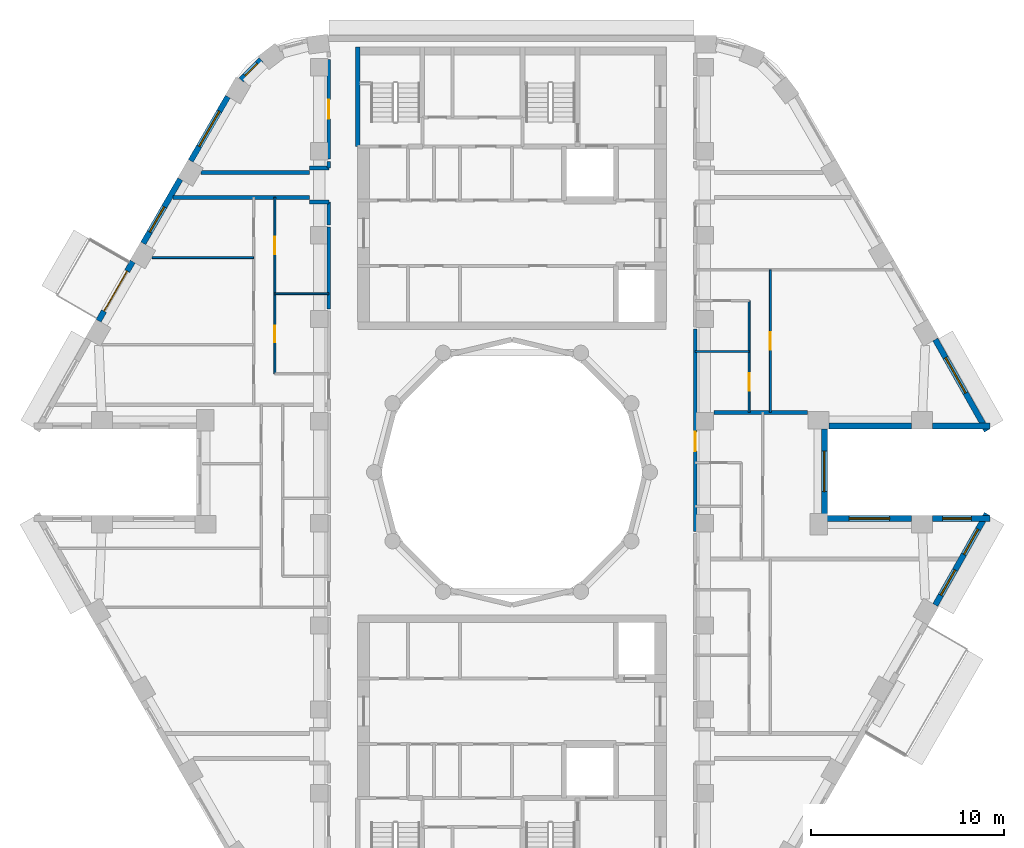
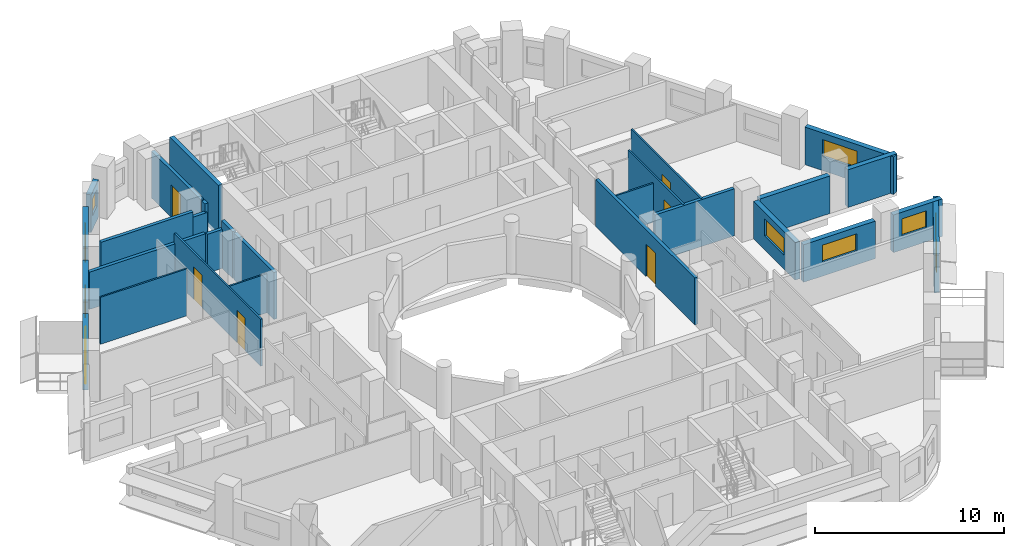
# One storey, part 6 of 14: 28 walls, 9 windows, 7 doors, 16 openings.
"""IFC4 building model written with IfcOpenShell, lengths in metres."""

import ifcopenshell
import ifcopenshell.guid

model = None  # the IFC model being written
_history = None  # IfcOwnerHistory: only IFC2X3 demands one
_inside = {}  # id of a spatial element -> (the spatial element, [elements in it])
_under = {}  # id of a project, library or spatial element -> (it, [spatial elements below it])
_declared = {}  # id of a project -> (the project, [libraries it declares])
_typed = {}  # id of a type object -> (the type object, [elements of that type])
_made_of = {}  # id of a material, layer set ... -> (it, [elements and type objects made of it])


def new_model(schema):
    """Start an empty IFC model of exactly this schema.

    Asked for "IFC4X3", IfcOpenShell would pick the latest addendum, in which some entities
    have other attributes; the version numbers below select the first issue.
    IFC2X3 requires an IfcOwnerHistory on every rooted entity: one is made here for all.
    """
    global model, _history
    if schema == "IFC4X3":
        model = ifcopenshell.file(schema_version=(4, 3, 0, 0))
    else:
        model = ifcopenshell.file(schema=schema)
    _inside.clear()
    _under.clear()
    _declared.clear()
    _typed.clear()
    _made_of.clear()
    _history = None
    if model.schema == "IFC2X3":
        org = make("IfcOrganization", Name="unknown")
        user = make(
            "IfcPersonAndOrganization",
            ThePerson=make("IfcPerson", FamilyName="unknown"),
            TheOrganization=org,
        )
        app = make(
            "IfcApplication",
            ApplicationDeveloper=org,
            Version="unknown",
            ApplicationFullName="unknown",
            ApplicationIdentifier="unknown",
        )
        _history = make(
            "IfcOwnerHistory",
            OwningUser=user,
            OwningApplication=app,
            ChangeAction="ADDED",
            CreationDate=0,
        )
    return model


def make(cls, **values):
    """One entity of the class cls with the attributes given. An attribute that is None is left unset."""
    return model.create_entity(
        cls, **{name: value for name, value in values.items() if value is not None}
    )


def rooted(cls, **values):
    """An entity with a GlobalId (a new one), such as an element, a storey or a relation."""
    return make(cls, GlobalId=ifcopenshell.guid.new(), OwnerHistory=_history, **values)


def si_unit(unit_type, name, prefix=None):
    """IfcSIUnit, for example si_unit("LENGTHUNIT", "METRE", prefix="MILLI")."""
    return make("IfcSIUnit", UnitType=unit_type, Prefix=prefix, Name=name)


def assignment(units):
    """IfcUnitAssignment: the units of a project."""
    return None if units is None else make("IfcUnitAssignment", Units=units)


def point(xyz):
    """IfcCartesianPoint."""
    return None if xyz is None else make("IfcCartesianPoint", Coordinates=xyz)


def direction(xyz):
    """IfcDirection."""
    return None if xyz is None else make("IfcDirection", DirectionRatios=xyz)


def frame(location, z_axis=None, x_axis=None):
    """IfcAxis2Placement3D, a coordinate frame: its origin and axes. An axis left out is left unset."""
    return make(
        "IfcAxis2Placement3D",
        Location=point(location),
        Axis=direction(z_axis),
        RefDirection=direction(x_axis),
    )


def frame_2d(location, x_axis=None):
    """IfcAxis2Placement2D, a coordinate frame in the plane: its origin and x axis."""
    return make(
        "IfcAxis2Placement2D", Location=point(location), RefDirection=direction(x_axis)
    )


def origin():
    """The frame at (0, 0, 0) with its axes left unset."""
    return frame((0.0, 0.0, 0.0))


def place(relative_to, where):
    """IfcLocalPlacement: puts the frame where relative to a parent placement (None: the world)."""
    return make(
        "IfcLocalPlacement", PlacementRelTo=relative_to, RelativePlacement=where
    )


def context(
    kind, dimensions, precision=None, world=None, true_north=None, identifier=None
):
    """IfcGeometricRepresentationContext, for example the 3D "Model" context."""
    return make(
        "IfcGeometricRepresentationContext",
        ContextIdentifier=identifier,
        ContextType=kind,
        CoordinateSpaceDimension=dimensions,
        Precision=precision,
        WorldCoordinateSystem=world,
        TrueNorth=true_north,
    )


def subcontext(parent, identifier, kind, view, scale=None):
    """IfcGeometricRepresentationSubContext, for example "Body" below "Model"."""
    return make(
        "IfcGeometricRepresentationSubContext",
        ContextIdentifier=identifier,
        ContextType=kind,
        ParentContext=parent,
        TargetScale=scale,
        TargetView=view,
    )


def project(units=None, contexts=None):
    """IfcProject with its units and contexts."""
    return rooted(
        "IfcProject",
        Name="project",
        RepresentationContexts=contexts,
        UnitsInContext=assignment(units),
    )


def spatial(cls, under=None, at=None, **own):
    """A site, building, storey or space (cls), placed at a placement, below another one or the project."""
    s = rooted(cls, ObjectPlacement=at, **own)
    if under is not None:
        _under.setdefault(under.id(), (under, []))[1].append(s)
    return s


def profile(cls, at=None, kind="AREA", **sizes):
    """A parametric profile (cls). Its sizes go by their IFC names, for example OverallWidth=200.0."""
    return make(cls, ProfileType=kind, Position=at, **sizes)


def rectangle(**sizes):
    """IfcRectangleProfileDef."""
    return profile("IfcRectangleProfileDef", **sizes)


def extrude(swept, where, along, depth):
    """IfcExtrudedAreaSolid: the profile swept, set in the frame where, extruded along a direction by depth."""
    return make(
        "IfcExtrudedAreaSolid",
        SweptArea=swept,
        Position=where,
        ExtrudedDirection=direction(along),
        Depth=depth,
    )


def shape(context_of_items, identifier, shape_type, items):
    """IfcShapeRepresentation: the items that make up one representation, for example the "Body"."""
    return make(
        "IfcShapeRepresentation",
        ContextOfItems=context_of_items,
        RepresentationIdentifier=identifier,
        RepresentationType=shape_type,
        Items=items,
    )


def material(Name=None, Category=None):
    """IfcMaterial."""
    return make("IfcMaterial", Name=Name, Category=Category)


def layer(
    of_material, thickness, ventilated=None, Name=None, Category=None, Priority=None
):
    """IfcMaterialLayer: one layer of a wall or slab, of a material (None: an air gap)."""
    return make(
        "IfcMaterialLayer",
        Material=of_material,
        LayerThickness=thickness,
        IsVentilated=ventilated,
        Name=Name,
        Category=Category,
        Priority=Priority,
    )


def layer_set(layers, Name=None):
    """IfcMaterialLayerSet."""
    return make("IfcMaterialLayerSet", MaterialLayers=layers, LayerSetName=Name)


def made_of(thing, what):
    """Note that an element or type object is made of a material, layer set ...; save() writes the relation."""
    if what is not None:
        _made_of.setdefault(what.id(), (what, []))[1].append(thing)
    return thing


def type_object(cls, material=None, **own):
    """A type object (cls), such as IfcWallType, which elements share."""
    return made_of(rooted(cls, **own), material)


def element(
    cls,
    number,
    at=None,
    inside=None,
    cuts=None,
    type_object=None,
    material=None,
    context=None,
    identifier="Body",
    shape_type=None,
    held_by="IfcProductDefinitionShape",
    body=None,
    shapes=None,
    **own,
):
    """One element of the class cls, such as IfcWall. Its Tag is "e" and its number.

    at: its placement. inside: the storey or other place that contains it. cuts: it is an
    opening in that element (IfcRelVoidsElement). A single representation is given by context,
    identifier, shape_type and body (its items); several are given by shapes. held_by: the class
    of the entity that holds the representations. save() writes the other relations.
    """
    e = rooted(cls, Tag="e%d" % number, ObjectPlacement=at, **own)
    if body is not None:
        shapes = [shape(context, identifier, shape_type, body)]
    if shapes is not None:
        e.Representation = make(held_by, Representations=shapes)
    if inside is not None:
        _inside.setdefault(inside.id(), (inside, []))[1].append(e)
    if cuts is not None:
        rooted(
            "IfcRelVoidsElement", RelatingBuildingElement=cuts, RelatedOpeningElement=e
        )
    if type_object is not None:
        _typed.setdefault(type_object.id(), (type_object, []))[1].append(e)
    return made_of(e, material)


def fill(opening, filler):
    """IfcRelFillsElement: the door or window that sits in an opening."""
    return rooted(
        "IfcRelFillsElement",
        RelatingOpeningElement=opening,
        RelatedBuildingElement=filler,
    )


def aggregate(whole, parts):
    """IfcRelAggregates: a whole, such as a stair, and the parts it consists of."""
    return rooted("IfcRelAggregates", RelatingObject=whole, RelatedObjects=parts)


def save(model, path):
    """Write the relations noted so far, then the file.

    IfcRelAggregates (storeys below a building ...), IfcRelContainedInSpatialStructure (elements
    in a storey), IfcRelDefinesByType, IfcRelAssociatesMaterial and IfcRelDeclares: one each for
    every whole, place, type object, material and project.
    """
    for whole, parts in _under.values():
        aggregate(whole, parts)
    for where, things in _inside.values():
        rooted(
            "IfcRelContainedInSpatialStructure",
            RelatedElements=things,
            RelatingStructure=where,
        )
    for kind, things in _typed.values():
        rooted("IfcRelDefinesByType", RelatedObjects=things, RelatingType=kind)
    for what, things in _made_of.values():
        rooted("IfcRelAssociatesMaterial", RelatedObjects=things, RelatingMaterial=what)
    for by, libraries in _declared.values():
        rooted("IfcRelDeclares", RelatingContext=by, RelatedDefinitions=libraries)
    model.write(path)


model = new_model("IFC4")

# Units and contexts
model_context = context("Model", 3, precision=1e-05, world=origin(), true_north=direction((0.0, 1.0)))
body_context = subcontext(model_context, "Body", "Model", "MODEL_VIEW")
ifc_project = project(units=[si_unit("LENGTHUNIT", "METRE"), si_unit("AREAUNIT", "SQUARE_METRE"), si_unit("VOLUMEUNIT", "CUBIC_METRE"), si_unit("PLANEANGLEUNIT", "RADIAN"), si_unit("MASSUNIT", "GRAM", prefix="KILO")], contexts=[model_context])

# Site, building, storey
site_placement = place(None, origin())
site = spatial("IfcSite", under=ifc_project, at=site_placement, CompositionType="ELEMENT")
building_placement = place(site_placement, origin())
building = spatial("IfcBuilding", under=site, at=building_placement, Name="Nakaniwa Court", CompositionType="ELEMENT")
storey_placement = place(building_placement, frame((0.0, 0.0, 265.800048828125)))
storey = spatial("IfcBuildingStorey", under=building, at=storey_placement, Name="L70", CompositionType="ELEMENT", Elevation=265.800048828125)

# Wall, opening, door
ifc_material_1 = material(Name="Acoustic double stud partition")
ifc_layer_1 = layer(ifc_material_1, 0.199951171875)
ifc_layer_set_1 = layer_set([ifc_layer_1], Name="Acoustic double stud partition")
wall_type_1 = type_object("IfcWallType", Name="Acoustic double stud partition 200", PredefinedType="PARTITIONING", material=ifc_layer_set_1)
wall_1_placement = place(storey_placement, frame((89.5, 87.423095703125, 0.0), z_axis=(0.0, 0.0, 1.0), x_axis=(0.0, -1.0, 0.0)))
wall_1 = element("IfcWall", 1, at=wall_1_placement, inside=storey, type_object=wall_type_1, Name="Partition PW-062", PredefinedType="PARTITIONING", context=body_context, shape_type="SweptSolid", body=[
    extrude(rectangle(XDim=10.486083984375, YDim=0.199951171875, at=frame_2d((5.2431640625, 0.0))), origin(), (0.0, 0.0, 1.0), 3.02490234375),
])
opening_1_placement = place(wall_1_placement, frame((5.322998046875, 0.0, 0.0)))
opening_1 = element("IfcOpeningElement", 2, at=opening_1_placement, cuts=wall_1, Name="Opening D-01-02", PredefinedType="OPENING", context=body_context, shape_type="SweptSolid", body=[
    extrude(rectangle(XDim=1.0, YDim=2.10009765625, at=frame_2d((0.5, 1.050048828125))), frame((0.0, 0.10986328125, 0.0), z_axis=(0.0, -1.0, 0.0), x_axis=(1.0, 0.0, 0.0)), (0.0, 0.0, 1.0), 0.219970703125),
])
ifc_material_2 = material(Name="Solid core timber door set, black veneer", Category="wood")
door_type_1 = type_object("IfcDoorType", Name="Flat entrance door 1000", OperationType="NOTDEFINED", PredefinedType="DOOR", material=ifc_material_2)
door_1_placement = place(opening_1_placement, origin())
door_1 = element("IfcDoor", 3, at=door_1_placement, inside=storey, type_object=door_type_1, Name="Door D-01-02 L70-033", OperationType="SINGLE_SWING_RIGHT", OverallHeight=2.10009765625, OverallWidth=1.0, PredefinedType="DOOR", context=body_context, shape_type="SweptSolid", body=[
    extrude(rectangle(XDim=1.0, YDim=2.10009765625, at=frame_2d((0.5, 1.050048828125))), frame((0.0, 0.02490234375, 0.0), z_axis=(0.0, -1.0, 0.0), x_axis=(1.0, 0.0, 0.0)), (0.0, 0.0, 1.0), 0.050048828125),
])
fill(opening_1, door_1)

# Walls
wall_2_placement = place(storey_placement, frame((62.419677734375, 94.25, 0.0), z_axis=(0.0, 0.0, 1.0), x_axis=(1.0, 0.0, 0.0)))
element("IfcWall", 4, at=wall_2_placement, inside=storey, type_object=wall_type_1, Name="Partition PW-068", PredefinedType="PARTITIONING", context=body_context, shape_type="SweptSolid", body=[
    extrude(rectangle(XDim=7.080322265625, YDim=0.199951171875, at=frame_2d((3.5400390625, 0.0))), origin(), (0.0, 0.0, 1.0), 2.405029296875),
])
for number, where, z_axis, x_axis, name in (
    (5, (69.5, 94.02490234375, 0.0), (0.0, 0.0, 1.0), (1.0, 0.0, 0.0), "Partition PW-070"),
    (6, (69.5, 95.77490234375, 0.0), (0.0, 0.0, 1.0), (1.0, 0.0, 0.0), "Partition PW-072"),
):
    element("IfcWall", number, at=place(storey_placement, frame(where, z_axis=z_axis, x_axis=x_axis)), inside=storey, type_object=wall_type_1, Name=name, PredefinedType="PARTITIONING", context=body_context, shape_type="SweptSolid", body=[
        extrude(rectangle(XDim=1.0, YDim=0.199951171875, at=frame_2d((0.5, 0.0))), origin(), (0.0, 0.0, 1.0), 2.5048828125),
    ])
wall_3_placement = place(storey_placement, frame((63.88330078125, 95.550048828125, 0.0), z_axis=(0.0, 0.0, 1.0), x_axis=(1.0, 0.0, 0.0)))
element("IfcWall", 7, at=wall_3_placement, inside=storey, type_object=wall_type_1, Name="Partition PW-074", PredefinedType="PARTITIONING", context=body_context, shape_type="SweptSolid", body=[
    extrude(rectangle(XDim=5.61669921875, YDim=0.199951171875, at=frame_2d((2.808349609375, 0.0))), origin(), (0.0, 0.0, 1.0), 3.02490234375),
])
wall_4_placement = place(storey_placement, frame((70.5, 88.47705078125, 0.0), z_axis=(0.0, 0.0, 1.0), x_axis=(0.0, 1.0, 0.0)))
element("IfcWall", 8, at=wall_4_placement, inside=storey, type_object=wall_type_1, Name="Partition PW-092", PredefinedType="PARTITIONING", context=body_context, shape_type="SweptSolid", body=[
    extrude(rectangle(XDim=4.23583984375, YDim=0.199951171875, at=frame_2d((2.117919921875, 0.0))), origin(), (0.0, 0.0, 1.0), 3.02490234375),
])
wall_5_placement = place(storey_placement, frame((70.5, 92.826904296875, 0.0), z_axis=(0.0, 0.0, 1.0), x_axis=(0.0, 1.0, 0.0)))
element("IfcWall", 9, at=wall_5_placement, inside=storey, type_object=wall_type_1, Name="Partition PW-093", PredefinedType="PARTITIONING", context=body_context, shape_type="SweptSolid", body=[
    extrude(rectangle(XDim=1.201171875, YDim=0.199951171875, at=frame_2d((0.6005859375, 0.0))), origin(), (0.0, 0.0, 1.0), 3.02490234375),
])
wall_6_placement = place(storey_placement, frame((70.5, 95.77197265625, 0.0), z_axis=(0.0, 0.0, 1.0), x_axis=(0.0, 1.0, 0.0)))
element("IfcWall", 10, at=wall_6_placement, inside=storey, type_object=wall_type_1, Name="Partition PW-094", PredefinedType="PARTITIONING", context=body_context, shape_type="SweptSolid", body=[
    extrude(rectangle(XDim=0.35107421875, YDim=0.199951171875, at=frame_2d((0.175537109375, 0.0))), origin(), (0.0, 0.0, 1.0), 3.02490234375),
])

# Wall, opening, door
wall_7_placement = place(storey_placement, frame((70.5, 96.237060546875, 0.0), z_axis=(0.0, 0.0, 1.0), x_axis=(0.0, 1.0, 0.0)))
wall_7 = element("IfcWall", 11, at=wall_7_placement, inside=storey, type_object=wall_type_1, Name="Partition PW-095", PredefinedType="PARTITIONING", context=body_context, shape_type="SweptSolid", body=[
    extrude(rectangle(XDim=5.176025390625, YDim=0.199951171875, at=frame_2d((2.587890625, 0.0))), origin(), (0.0, 0.0, 1.0), 3.02490234375),
])
opening_2_placement = place(wall_7_placement, frame((2.087890625, 0.0, 0.0)))
opening_2 = element("IfcOpeningElement", 12, at=opening_2_placement, cuts=wall_7, Name="Opening D-02-02", PredefinedType="OPENING", context=body_context, shape_type="SweptSolid", body=[
    extrude(rectangle(XDim=1.0, YDim=2.10009765625, at=frame_2d((0.5, 1.050048828125))), frame((0.0, 0.10986328125, 0.0), z_axis=(0.0, -1.0, 0.0), x_axis=(1.0, 0.0, 0.0)), (0.0, 0.0, 1.0), 0.219970703125),
])
door_type_2 = type_object("IfcDoorType", Name="Internal door 1000", OperationType="NOTDEFINED", PredefinedType="DOOR", material=ifc_material_2)
door_2_placement = place(opening_2_placement, origin())
door_2 = element("IfcDoor", 13, at=door_2_placement, inside=storey, type_object=door_type_2, Name="Door D-02-02 L70-054", OperationType="SINGLE_SWING_LEFT", OverallHeight=2.10009765625, OverallWidth=1.0, PredefinedType="DOOR", context=body_context, shape_type="SweptSolid", body=[
    extrude(rectangle(XDim=1.0, YDim=2.10009765625, at=frame_2d((0.5, 1.050048828125))), frame((0.0, 0.02490234375, 0.0), z_axis=(0.0, -1.0, 0.0), x_axis=(1.0, 0.0, 0.0)), (0.0, 0.0, 1.0), 0.050048828125),
])
fill(opening_2, door_2)

# Walls
wall_8_placement = place(storey_placement, frame((90.469970703125, 83.10009765625, 0.0), z_axis=(0.0, 0.0, 1.0), x_axis=(1.0, 0.0, 0.0)))
element("IfcWall", 14, at=wall_8_placement, inside=storey, type_object=wall_type_1, Name="Partition PW-108", PredefinedType="PARTITIONING", context=body_context, shape_type="SweptSolid", body=[
    extrude(rectangle(XDim=4.859619140625, YDim=0.199951171875, at=frame_2d((2.4296875, 0.0))), origin(), (0.0, 0.0, 1.0), 3.02490234375),
])
ifc_material_3 = material(Name="Charcoal ceramic cladding")
ifc_layer_2 = layer(ifc_material_3, 0.02, Name="Ceramic cladding")
ifc_material_4 = material(Name="Ventilated air cavity")
ifc_layer_3 = layer(ifc_material_4, 0.04, ventilated=True, Name="Ventilated cavity")
ifc_material_5 = material(Name="Mineral wool insulation")
ifc_layer_4 = layer(ifc_material_5, 0.1, Name="Insulation")
ifc_material_6 = material(Name="Cement bonded sheathing board")
ifc_layer_5 = layer(ifc_material_6, 0.012, Name="Sheathing")
ifc_material_7 = material(Name="Cold-formed galvanised stud frame with mineral wool infill")
ifc_layer_6 = layer(ifc_material_7, 0.1, Name="Stud frame")
ifc_material_8 = material(Name="Fire-rated gypsum plasterboard lining")
ifc_layer_7 = layer(ifc_material_8, 0.028, Name="Lining")
ifc_layer_set_2 = layer_set([ifc_layer_2, ifc_layer_3, ifc_layer_4, ifc_layer_5, ifc_layer_6, ifc_layer_7], Name="Charcoal ceramic faced external wall system")
wall_type_2 = type_object("IfcWallType", Name="Black ceramic faced external wall 300", PredefinedType="SOLIDWALL", material=ifc_layer_set_2)
wall_9_placement = place(storey_placement, frame((96.445556640625, 82.39990234375, 0.0), z_axis=(0.0, 0.0, 1.0), x_axis=(1.0, 0.0, 0.0)))
element("IfcWall", 15, at=wall_9_placement, inside=storey, type_object=wall_type_2, Name="L70 external wall 00", PredefinedType="SOLIDWALL", context=body_context, shape_type="SweptSolid", body=[
    extrude(rectangle(XDim=4.2724609375, YDim=0.300048828125, at=frame_2d((2.13623046875, 0.0))), origin(), (0.0, 0.0, 1.0), 2.425048828125),
])
wall_10_placement = place(storey_placement, frame((101.81005859375, 82.39990234375, 0.0), z_axis=(0.0, 0.0, 1.0), x_axis=(1.0, 0.0, 0.0)))
element("IfcWall", 16, at=wall_10_placement, inside=storey, type_object=wall_type_2, Name="L70 external wall 01", PredefinedType="SOLIDWALL", context=body_context, shape_type="SweptSolid", body=[
    extrude(rectangle(XDim=2.98779296875, YDim=0.300048828125, at=frame_2d((1.493896484375, 0.0))), origin(), (0.0, 0.0, 1.0), 2.425048828125),
])

# Wall, opening, window
wall_11_placement = place(storey_placement, frame((104.627197265625, 82.153564453125, 0.0), z_axis=(0.0, 0.0, 1.0), x_axis=(-0.492080931903, 0.870549456641, 0.0)))
wall_11 = element("IfcWall", 17, at=wall_11_placement, inside=storey, type_object=wall_type_2, Name="L70 external wall 02", PredefinedType="SOLIDWALL", context=body_context, shape_type="SweptSolid", body=[
    extrude(rectangle(XDim=5.436767578125, YDim=0.300048828125, at=frame_2d((2.71826171875, 0.0))), origin(), (0.0, 0.0, 1.0), 2.425048828125),
])
opening_3_placement = place(wall_11_placement, frame((2.247314453125, 0.0, 0.89990234375)))
opening_3 = element("IfcOpeningElement", 18, at=opening_3_placement, cuts=wall_11, Name="Opening W7.01", PredefinedType="OPENING", context=body_context, shape_type="SweptSolid", body=[
    extrude(rectangle(XDim=2.10009765625, YDim=1.10009765625, at=frame_2d((1.050048828125, 0.550048828125))), frame((0.0, 0.159912109375, 0.0), z_axis=(0.0, -1.0, 0.0), x_axis=(1.0, 0.0, 0.0)), (0.0, 0.0, 1.0), 0.320068359375),
])
ifc_material_9 = material(Name="Black anodised aluminium frame with dark low-E laminated double glazing", Category="aluminium")
window_type_1 = type_object("IfcWindowType", Name="Dark glass window 2100x1100 sill 900", PartitioningType="SINGLE_PANEL", PredefinedType="WINDOW", material=ifc_material_9)
window_1_placement = place(opening_3_placement, origin())
window_1 = element("IfcWindow", 19, at=window_1_placement, inside=storey, type_object=window_type_1, Name="L70 living window 02-0", OverallHeight=1.10009765625, OverallWidth=2.10009765625, PartitioningType="SINGLE_PANEL", PredefinedType="WINDOW", context=body_context, shape_type="SweptSolid", body=[
    extrude(rectangle(XDim=2.10009765625, YDim=1.10009765625, at=frame_2d((1.050048828125, 0.550048828125))), frame((0.0, 0.030029296875, 0.0), z_axis=(0.0, -1.0, 0.0), x_axis=(1.0, 0.0, 0.0)), (0.0, 0.0, 1.0), 0.06005859375),
])
fill(opening_3, window_1)

wall_12_placement = place(storey_placement, frame((66.99560546875, 101.388427734375, 0.0), z_axis=(0.0, 0.0, 1.0), x_axis=(-0.708589353117, -0.705621094249, 0.0)))
wall_12 = element("IfcWall", 20, at=wall_12_placement, inside=storey, type_object=wall_type_2, Name="L70 external wall 10", PredefinedType="SOLIDWALL", context=body_context, shape_type="SweptSolid", body=[
    extrude(rectangle(XDim=1.48046875, YDim=0.300048828125, at=frame_2d((0.740234375, 0.0))), origin(), (0.0, 0.0, 1.0), 2.425048828125),
])
opening_4_placement = place(wall_12_placement, frame((0.27978515625, 0.0, 0.89990234375)))
opening_4 = element("IfcOpeningElement", 21, at=opening_4_placement, cuts=wall_12, Name="Opening W9.08", PredefinedType="OPENING", context=body_context, shape_type="SweptSolid", body=[
    extrude(rectangle(XDim=0.89990234375, YDim=1.10009765625, at=frame_2d((0.449951171875, 0.550048828125))), frame((0.0, 0.159912109375, 0.0), z_axis=(0.0, -1.0, 0.0), x_axis=(1.0, 0.0, 0.0)), (0.0, 0.0, 1.0), 0.320068359375),
])
window_type_2 = type_object("IfcWindowType", Name="Dark glass window 900x1100 sill 900", PartitioningType="SINGLE_PANEL", PredefinedType="WINDOW", material=ifc_material_9)
window_2_placement = place(opening_4_placement, origin())
window_2 = element("IfcWindow", 22, at=window_2_placement, inside=storey, type_object=window_type_2, Name="L70 habitable room window 10-0", OverallHeight=1.10009765625, OverallWidth=0.89990234375, PartitioningType="SINGLE_PANEL", PredefinedType="WINDOW", context=body_context, shape_type="SweptSolid", body=[
    extrude(rectangle(XDim=0.89990234375, YDim=1.10009765625, at=frame_2d((0.449951171875, 0.550048828125))), frame((0.0, 0.030029296875, 0.0), z_axis=(0.0, -1.0, 0.0), x_axis=(1.0, 0.0, 0.0)), (0.0, 0.0, 1.0), 0.06005859375),
])
fill(opening_4, window_2)

wall_13_placement = place(storey_placement, frame((65.26416015625, 99.476806640625, 0.0), z_axis=(0.0, 0.0, 1.0), x_axis=(-0.499984490703, -0.866034357896, 0.0)))
wall_13 = element("IfcWall", 23, at=wall_13_placement, inside=storey, type_object=wall_type_2, Name="L70 external wall 11", PredefinedType="SOLIDWALL", context=body_context, shape_type="SweptSolid", body=[
    extrude(rectangle(XDim=3.84423828125, YDim=0.300048828125, at=frame_2d((1.922119140625, 0.0))), origin(), (0.0, 0.0, 1.0), 2.425048828125),
])
opening_5_placement = place(wall_13_placement, frame((0.8720703125, 0.0, 0.89990234375)))
opening_5 = element("IfcOpeningElement", 24, at=opening_5_placement, cuts=wall_13, Name="Opening W7.09", PredefinedType="OPENING", context=body_context, shape_type="SweptSolid", body=[
    extrude(rectangle(XDim=2.10009765625, YDim=1.10009765625, at=frame_2d((1.050048828125, 0.550048828125))), frame((0.0, 0.159912109375, 0.0), z_axis=(0.0, -1.0, 0.0), x_axis=(1.0, 0.0, 0.0)), (0.0, 0.0, 1.0), 0.320068359375),
])
window_3_placement = place(opening_5_placement, origin())
window_3 = element("IfcWindow", 25, at=window_3_placement, inside=storey, type_object=window_type_1, Name="L70 habitable room window 11-0", OverallHeight=1.10009765625, OverallWidth=2.10009765625, PartitioningType="SINGLE_PANEL", PredefinedType="WINDOW", context=body_context, shape_type="SweptSolid", body=[
    extrude(rectangle(XDim=2.10009765625, YDim=1.10009765625, at=frame_2d((1.050048828125, 0.550048828125))), frame((0.0, 0.030029296875, 0.0), z_axis=(0.0, -1.0, 0.0), x_axis=(1.0, 0.0, 0.0)), (0.0, 0.0, 1.0), 0.06005859375),
])
fill(opening_5, window_3)

wall_14_placement = place(storey_placement, frame((62.7958984375, 95.201904296875, 0.0), z_axis=(0.0, 0.0, 1.0), x_axis=(-0.499984490703, -0.866034357896, 0.0)))
wall_14 = element("IfcWall", 26, at=wall_14_placement, inside=storey, type_object=wall_type_2, Name="L70 external wall 12", PredefinedType="SOLIDWALL", context=body_context, shape_type="SweptSolid", body=[
    extrude(rectangle(XDim=3.84423828125, YDim=0.300048828125, at=frame_2d((1.922119140625, 0.0))), origin(), (0.0, 0.0, 1.0), 2.425048828125),
])
opening_6_placement = place(wall_14_placement, frame((1.66064453125, 0.0, 0.89990234375)))
opening_6 = element("IfcOpeningElement", 27, at=opening_6_placement, cuts=wall_14, Name="Opening W5.10", PredefinedType="OPENING", context=body_context, shape_type="SweptSolid", body=[
    extrude(rectangle(XDim=1.5, YDim=1.10009765625, at=frame_2d((0.75, 0.550048828125))), frame((0.0, 0.159912109375, 0.0), z_axis=(0.0, -1.0, 0.0), x_axis=(1.0, 0.0, 0.0)), (0.0, 0.0, 1.0), 0.320068359375),
])
window_type_3 = type_object("IfcWindowType", Name="Dark glass window 1500x1100 sill 900", PartitioningType="SINGLE_PANEL", PredefinedType="WINDOW", material=ifc_material_9)
window_4_placement = place(opening_6_placement, origin())
window_4 = element("IfcWindow", 28, at=window_4_placement, inside=storey, type_object=window_type_3, Name="L70 bedroom window 12-1", OverallHeight=1.10009765625, OverallWidth=1.5, PartitioningType="SINGLE_PANEL", PredefinedType="WINDOW", context=body_context, shape_type="SweptSolid", body=[
    extrude(rectangle(XDim=1.5, YDim=1.10009765625, at=frame_2d((0.75, 0.550048828125))), frame((0.0, 0.030029296875, 0.0), z_axis=(0.0, -1.0, 0.0), x_axis=(1.0, 0.0, 0.0)), (0.0, 0.0, 1.0), 0.06005859375),
])
fill(opening_6, window_4)

# Wall, opening, door
wall_15_placement = place(storey_placement, frame((60.327880859375, 90.927001953125, 0.0), z_axis=(0.0, 0.0, 1.0), x_axis=(-0.500010404316, -0.866019396766, 0.0)))
wall_15 = element("IfcWall", 29, at=wall_15_placement, inside=storey, type_object=wall_type_2, Name="L70 external wall 13", PredefinedType="SOLIDWALL", context=body_context, shape_type="SweptSolid", body=[
    extrude(rectangle(XDim=3.54736328125, YDim=0.300048828125, at=frame_2d((1.773681640625, 0.0))), origin(), (0.0, 0.0, 1.0), 2.425048828125),
])
opening_7_placement = place(wall_15_placement, frame((0.573486328125, 0.0, 0.0)))
opening_7 = element("IfcOpeningElement", 30, at=opening_7_placement, cuts=wall_15, Name="Opening XD13.01", PredefinedType="OPENING", context=body_context, shape_type="SweptSolid", body=[
    extrude(rectangle(XDim=2.39990234375, YDim=2.0, at=frame_2d((1.199951171875, 1.0))), frame((0.0, 0.159912109375, 0.0), z_axis=(0.0, -1.0, 0.0), x_axis=(1.0, 0.0, 0.0)), (0.0, 0.0, 1.0), 0.320068359375),
])
ifc_material_10 = material(Name="Black powder-coated aluminium frame with dark laminated glass", Category="aluminium")
door_type_3 = type_object("IfcDoorType", Name="Balcony sliding door 2400x2000", OperationType="DOUBLE_DOOR_SLIDING", PredefinedType="DOOR", material=ifc_material_10)
door_3_placement = place(opening_7_placement, origin())
door_3 = element("IfcDoor", 31, at=door_3_placement, inside=storey, type_object=door_type_3, Name="L70 balcony sliding door 01", OperationType="DOUBLE_DOOR_SLIDING", OverallHeight=2.0, OverallWidth=2.39990234375, PredefinedType="DOOR", context=body_context, shape_type="SweptSolid", body=[
    extrude(rectangle(XDim=2.39990234375, YDim=2.0, at=frame_2d((1.199951171875, 1.0))), frame((0.0, 0.02490234375, 0.0), z_axis=(0.0, -1.0, 0.0), x_axis=(1.0, 0.0, 0.0)), (0.0, 0.0, 1.0), 0.050048828125),
])
fill(opening_7, door_3)

# Wall, openings, windows
wall_16_placement = place(storey_placement, frame((101.951904296875, 73.113525390625, 0.0), z_axis=(0.0, 0.0, 1.0), x_axis=(0.492080931903, 0.870549456641, 0.0)))
wall_16 = element("IfcWall", 32, at=wall_16_placement, inside=storey, type_object=wall_type_2, Name="L70 external wall 32", PredefinedType="SOLIDWALL", context=body_context, shape_type="SweptSolid", body=[
    extrude(rectangle(XDim=5.436767578125, YDim=0.300048828125, at=frame_2d((2.71826171875, 0.0))), origin(), (0.0, 0.0, 1.0), 2.425048828125),
])
opening_8_placement = place(wall_16_placement, frame((0.58544921875, 0.0, 0.89990234375)))
opening_8 = element("IfcOpeningElement", 33, at=opening_8_placement, cuts=wall_16, Name="Opening W5.30", PredefinedType="OPENING", context=body_context, shape_type="SweptSolid", body=[
    extrude(rectangle(XDim=1.5, YDim=1.10009765625, at=frame_2d((0.75, 0.550048828125))), frame((0.0, 0.159912109375, 0.0), z_axis=(0.0, -1.0, 0.0), x_axis=(1.0, 0.0, 0.0)), (0.0, 0.0, 1.0), 0.320068359375),
])
opening_9_placement = place(wall_16_placement, frame((3.01513671875, 0.0, 0.89990234375)))
opening_9 = element("IfcOpeningElement", 34, at=opening_9_placement, cuts=wall_16, Name="Opening W5.31", PredefinedType="OPENING", context=body_context, shape_type="SweptSolid", body=[
    extrude(rectangle(XDim=1.5, YDim=1.10009765625, at=frame_2d((0.75, 0.550048828125))), frame((0.0, 0.159912109375, 0.0), z_axis=(0.0, -1.0, 0.0), x_axis=(1.0, 0.0, 0.0)), (0.0, 0.0, 1.0), 0.320068359375),
])
window_5_placement = place(opening_8_placement, origin())
window_5 = element("IfcWindow", 35, at=window_5_placement, inside=storey, type_object=window_type_3, Name="L70 living window 32-0", OverallHeight=1.10009765625, OverallWidth=1.5, PartitioningType="SINGLE_PANEL", PredefinedType="WINDOW", context=body_context, shape_type="SweptSolid", body=[
    extrude(rectangle(XDim=1.5, YDim=1.10009765625, at=frame_2d((0.75, 0.550048828125))), frame((0.0, 0.030029296875, 0.0), z_axis=(0.0, -1.0, 0.0), x_axis=(1.0, 0.0, 0.0)), (0.0, 0.0, 1.0), 0.06005859375),
])
fill(opening_8, window_5)
window_6_placement = place(opening_9_placement, origin())
window_6 = element("IfcWindow", 36, at=window_6_placement, inside=storey, type_object=window_type_3, Name="L70 living window 32-1", OverallHeight=1.10009765625, OverallWidth=1.5, PartitioningType="SINGLE_PANEL", PredefinedType="WINDOW", context=body_context, shape_type="SweptSolid", body=[
    extrude(rectangle(XDim=1.5, YDim=1.10009765625, at=frame_2d((0.75, 0.550048828125))), frame((0.0, 0.030029296875, 0.0), z_axis=(0.0, -1.0, 0.0), x_axis=(1.0, 0.0, 0.0)), (0.0, 0.0, 1.0), 0.06005859375),
])
fill(opening_9, window_6)

# Wall, opening, window
wall_17_placement = place(storey_placement, frame((104.7978515625, 77.60009765625, 0.0), z_axis=(0.0, 0.0, 1.0), x_axis=(-1.0, 0.0, 0.0)))
wall_17 = element("IfcWall", 37, at=wall_17_placement, inside=storey, type_object=wall_type_2, Name="L70 external wall 33", PredefinedType="SOLIDWALL", context=body_context, shape_type="SweptSolid", body=[
    extrude(rectangle(XDim=2.98779296875, YDim=0.300048828125, at=frame_2d((1.493896484375, 0.0))), origin(), (0.0, 0.0, 1.0), 2.425048828125),
])
opening_10_placement = place(wall_17_placement, frame((0.968994140625, 0.0, 0.89990234375)))
opening_10 = element("IfcOpeningElement", 38, at=opening_10_placement, cuts=wall_17, Name="Opening W5.32", PredefinedType="OPENING", context=body_context, shape_type="SweptSolid", body=[
    extrude(rectangle(XDim=1.5, YDim=1.10009765625, at=frame_2d((0.75, 0.550048828125))), frame((0.0, 0.159912109375, 0.0), z_axis=(0.0, -1.0, 0.0), x_axis=(1.0, 0.0, 0.0)), (0.0, 0.0, 1.0), 0.320068359375),
])
window_7_placement = place(opening_10_placement, origin())
window_7 = element("IfcWindow", 39, at=window_7_placement, inside=storey, type_object=window_type_3, Name="L70 living window 33-0", OverallHeight=1.10009765625, OverallWidth=1.5, PartitioningType="SINGLE_PANEL", PredefinedType="WINDOW", context=body_context, shape_type="SweptSolid", body=[
    extrude(rectangle(XDim=1.5, YDim=1.10009765625, at=frame_2d((0.75, 0.550048828125))), frame((0.0, 0.030029296875, 0.0), z_axis=(0.0, -1.0, 0.0), x_axis=(1.0, 0.0, 0.0)), (0.0, 0.0, 1.0), 0.06005859375),
])
fill(opening_10, window_7)

wall_18_placement = place(storey_placement, frame((100.718017578125, 77.60009765625, 0.0), z_axis=(0.0, 0.0, 1.0), x_axis=(-1.0, 0.0, 0.0)))
wall_18 = element("IfcWall", 40, at=wall_18_placement, inside=storey, type_object=wall_type_2, Name="L70 external wall 34", PredefinedType="SOLIDWALL", context=body_context, shape_type="SweptSolid", body=[
    extrude(rectangle(XDim=4.37255859375, YDim=0.300048828125, at=frame_2d((2.186279296875, 0.0))), origin(), (0.0, 0.0, 1.0), 2.425048828125),
])
opening_11_placement = place(wall_18_placement, frame((1.13623046875, 0.0, 0.89990234375)))
opening_11 = element("IfcOpeningElement", 41, at=opening_11_placement, cuts=wall_18, Name="Opening W7.33", PredefinedType="OPENING", context=body_context, shape_type="SweptSolid", body=[
    extrude(rectangle(XDim=2.10009765625, YDim=1.10009765625, at=frame_2d((1.050048828125, 0.550048828125))), frame((0.0, 0.159912109375, 0.0), z_axis=(0.0, -1.0, 0.0), x_axis=(1.0, 0.0, 0.0)), (0.0, 0.0, 1.0), 0.320068359375),
])
window_8_placement = place(opening_11_placement, origin())
window_8 = element("IfcWindow", 42, at=window_8_placement, inside=storey, type_object=window_type_1, Name="L70 living window 34-0", OverallHeight=1.10009765625, OverallWidth=2.10009765625, PartitioningType="SINGLE_PANEL", PredefinedType="WINDOW", context=body_context, shape_type="SweptSolid", body=[
    extrude(rectangle(XDim=2.10009765625, YDim=1.10009765625, at=frame_2d((1.050048828125, 0.550048828125))), frame((0.0, 0.030029296875, 0.0), z_axis=(0.0, -1.0, 0.0), x_axis=(1.0, 0.0, 0.0)), (0.0, 0.0, 1.0), 0.06005859375),
])
fill(opening_11, window_8)

wall_19_placement = place(storey_placement, frame((96.199462890625, 77.845947265625, 0.0), z_axis=(0.0, 0.0, 1.0), x_axis=(0.0, 1.0, 0.0)))
wall_19 = element("IfcWall", 43, at=wall_19_placement, inside=storey, type_object=wall_type_2, Name="L70 external wall 35", PredefinedType="SOLIDWALL", context=body_context, shape_type="SweptSolid", body=[
    extrude(rectangle(XDim=4.407958984375, YDim=0.300048828125, at=frame_2d((2.2041015625, 0.0))), origin(), (0.0, 0.0, 1.0), 2.425048828125),
])
opening_12_placement = place(wall_19_placement, frame((1.154052734375, 0.0, 0.89990234375)))
opening_12 = element("IfcOpeningElement", 44, at=opening_12_placement, cuts=wall_19, Name="Opening W7.34", PredefinedType="OPENING", context=body_context, shape_type="SweptSolid", body=[
    extrude(rectangle(XDim=2.10009765625, YDim=1.10009765625, at=frame_2d((1.050048828125, 0.550048828125))), frame((0.0, 0.159912109375, 0.0), z_axis=(0.0, -1.0, 0.0), x_axis=(1.0, 0.0, 0.0)), (0.0, 0.0, 1.0), 0.320068359375),
])
window_9_placement = place(opening_12_placement, origin())
window_9 = element("IfcWindow", 45, at=window_9_placement, inside=storey, type_object=window_type_1, Name="L70 living window 35-0", OverallHeight=1.10009765625, OverallWidth=2.10009765625, PartitioningType="SINGLE_PANEL", PredefinedType="WINDOW", context=body_context, shape_type="SweptSolid", body=[
    extrude(rectangle(XDim=2.10009765625, YDim=1.10009765625, at=frame_2d((1.050048828125, 0.550048828125))), frame((0.0, 0.030029296875, 0.0), z_axis=(0.0, -1.0, 0.0), x_axis=(1.0, 0.0, 0.0)), (0.0, 0.0, 1.0), 0.06005859375),
])
fill(opening_12, window_9)

# Wall
ifc_material_11 = material(Name="Concrete C80/100", Category="concrete")
ifc_layer_8 = layer(ifc_material_11, 0.25)
ifc_layer_set_3 = layer_set([ifc_layer_8], Name="Concrete C80/100")
wall_type_3 = type_object("IfcWallType", Name="Concrete core wall 250 C80", PredefinedType="SHEAR", material=ifc_layer_set_3)
wall_20_placement = place(storey_placement, frame((72.0, 96.89990234375, -0.275146484375), z_axis=(0.0, 0.0, 1.0), x_axis=(0.0, 1.0, 0.0)))
element("IfcWall", 46, at=wall_20_placement, inside=storey, type_object=wall_type_3, Name="Core wall SW-23", PredefinedType="SHEAR", context=body_context, shape_type="SweptSolid", body=[
    extrude(rectangle(XDim=5.150146484375, YDim=0.25, at=frame_2d((2.5751953125, 0.0))), origin(), (0.0, 0.0, 1.0), 3.300048828125),
])

# Wall, opening, door
ifc_material_12 = material(Name="Single stud plasterboard partition")
ifc_layer_9 = layer(ifc_material_12, 0.10009765625)
ifc_layer_set_4 = layer_set([ifc_layer_9], Name="Single stud plasterboard partition")
wall_type_4 = type_object("IfcWallType", Name="Single stud plasterboard partition 100", PredefinedType="PARTITIONING", material=ifc_layer_set_4)
wall_21_placement = place(storey_placement, frame((92.300048828125, 83.10009765625, 0.0), z_axis=(0.0, 0.0, 1.0), x_axis=(0.0, 1.0, 0.0)))
wall_21 = element("IfcWall", 47, at=wall_21_placement, inside=storey, type_object=wall_type_4, Name="Partition PW-099", PredefinedType="PARTITIONING", context=body_context, shape_type="SweptSolid", body=[
    extrude(rectangle(XDim=5.7998046875, YDim=0.10009765625, at=frame_2d((2.89990234375, 0.0))), origin(), (0.0, 0.0, 1.0), 3.02490234375),
])
opening_13_placement = place(wall_21_placement, frame((1.132080078125, 0.0, 0.0)))
opening_13 = element("IfcOpeningElement", 48, at=opening_13_placement, cuts=wall_21, Name="Opening D-33-05", PredefinedType="OPENING", context=body_context, shape_type="SweptSolid", body=[
    extrude(rectangle(XDim=0.89990234375, YDim=2.10009765625, at=frame_2d((0.449951171875, 1.050048828125))), frame((0.0, 0.06005859375, 0.0), z_axis=(0.0, -1.0, 0.0), x_axis=(1.0, 0.0, 0.0)), (0.0, 0.0, 1.0), 0.1201171875),
])
door_type_4 = type_object("IfcDoorType", Name="Internal door 900", OperationType="NOTDEFINED", PredefinedType="DOOR", material=ifc_material_2)
door_4_placement = place(opening_13_placement, origin())
door_4 = element("IfcDoor", 49, at=door_4_placement, inside=storey, type_object=door_type_4, Name="Door D-33-05 L70-038", OperationType="SINGLE_SWING_LEFT", OverallHeight=2.10009765625, OverallWidth=0.89990234375, PredefinedType="DOOR", context=body_context, shape_type="SweptSolid", body=[
    extrude(rectangle(XDim=0.89990234375, YDim=2.10009765625, at=frame_2d((0.449951171875, 1.050048828125))), frame((0.0, 0.02490234375, 0.0), z_axis=(0.0, -1.0, 0.0), x_axis=(1.0, 0.0, 0.0)), (0.0, 0.0, 1.0), 0.050048828125),
])
fill(opening_13, door_4)

wall_22_placement = place(storey_placement, frame((93.39990234375, 90.5, 0.0), z_axis=(0.0, 0.0, 1.0), x_axis=(0.0, -1.0, 0.0)))
wall_22 = element("IfcWall", 50, at=wall_22_placement, inside=storey, type_object=wall_type_4, Name="Partition PW-102", PredefinedType="PARTITIONING", context=body_context, shape_type="SweptSolid", body=[
    extrude(rectangle(XDim=7.39990234375, YDim=0.10009765625, at=frame_2d((3.699951171875, 0.0))), origin(), (0.0, 0.0, 1.0), 3.02490234375),
])
opening_14_placement = place(wall_22_placement, frame((3.25, 0.0, 0.0)))
opening_14 = element("IfcOpeningElement", 51, at=opening_14_placement, cuts=wall_22, Name="Opening D-33-06", PredefinedType="OPENING", context=body_context, shape_type="SweptSolid", body=[
    extrude(rectangle(XDim=0.89990234375, YDim=2.10009765625, at=frame_2d((0.449951171875, 1.050048828125))), frame((0.0, 0.06005859375, 0.0), z_axis=(0.0, -1.0, 0.0), x_axis=(1.0, 0.0, 0.0)), (0.0, 0.0, 1.0), 0.1201171875),
])
door_5_placement = place(opening_14_placement, origin())
door_5 = element("IfcDoor", 52, at=door_5_placement, inside=storey, type_object=door_type_4, Name="Door D-33-06 L70-040", OperationType="SINGLE_SWING_LEFT", OverallHeight=2.10009765625, OverallWidth=0.89990234375, PredefinedType="DOOR", context=body_context, shape_type="SweptSolid", body=[
    extrude(rectangle(XDim=0.89990234375, YDim=2.10009765625, at=frame_2d((0.449951171875, 1.050048828125))), frame((0.0, 0.02490234375, 0.0), z_axis=(0.0, -1.0, 0.0), x_axis=(1.0, 0.0, 0.0)), (0.0, 0.0, 1.0), 0.050048828125),
])
fill(opening_14, door_5)

# Walls
for number, where, z_axis, x_axis, name in (
    (53, (89.5, 86.263916015625, 0.0), (0.0, 0.0, 1.0), (1.0, 0.0, 0.0), "Partition PW-109"),
    (54, (67.699951171875, 89.259033203125, 0.0), (0.0, 0.0, 1.0), (1.0, 0.0, 0.0), "Partition PW-120"),
):
    element("IfcWall", number, at=place(storey_placement, frame(where, z_axis=z_axis, x_axis=x_axis)), inside=storey, type_object=wall_type_4, Name=name, PredefinedType="PARTITIONING", context=body_context, shape_type="SweptSolid", body=[
        extrude(rectangle(XDim=2.800048828125, YDim=0.10009765625, at=frame_2d((1.39990234375, 0.0))), origin(), (0.0, 0.0, 1.0), 2.5048828125),
    ])

# Wall, openings, doors
wall_23_placement = place(storey_placement, frame((67.699951171875, 94.25, 0.0), z_axis=(0.0, 0.0, 1.0), x_axis=(0.0, -1.0, 0.0)))
wall_23 = element("IfcWall", 55, at=wall_23_placement, inside=storey, type_object=wall_type_4, Name="Partition PW-122", PredefinedType="PARTITIONING", context=body_context, shape_type="SweptSolid", body=[
    extrude(rectangle(XDim=9.14990234375, YDim=0.10009765625, at=frame_2d((4.574951171875, 0.0))), origin(), (0.0, 0.0, 1.0), 3.02490234375),
])
opening_15_placement = place(wall_23_placement, frame((6.64501953125, 0.0, 0.0)))
opening_15 = element("IfcOpeningElement", 56, at=opening_15_placement, cuts=wall_23, Name="Opening D-03-05", PredefinedType="OPENING", context=body_context, shape_type="SweptSolid", body=[
    extrude(rectangle(XDim=0.85009765625, YDim=2.10009765625, at=frame_2d((0.425048828125, 1.050048828125))), frame((0.0, 0.06005859375, 0.0), z_axis=(0.0, -1.0, 0.0), x_axis=(1.0, 0.0, 0.0)), (0.0, 0.0, 1.0), 0.1201171875),
])
opening_16_placement = place(wall_23_placement, frame((2.044921875, 0.0, 0.0)))
opening_16 = element("IfcOpeningElement", 57, at=opening_16_placement, cuts=wall_23, Name="Opening D-33-11", PredefinedType="OPENING", context=body_context, shape_type="SweptSolid", body=[
    extrude(rectangle(XDim=0.89990234375, YDim=2.10009765625, at=frame_2d((0.449951171875, 1.050048828125))), frame((0.0, 0.06005859375, 0.0), z_axis=(0.0, -1.0, 0.0), x_axis=(1.0, 0.0, 0.0)), (0.0, 0.0, 1.0), 0.1201171875),
])
ifc_material_13 = material(Name="Moisture sealed timber door set", Category="wood")
door_type_5 = type_object("IfcDoorType", Name="Bathroom door 850", OperationType="NOTDEFINED", PredefinedType="DOOR", material=ifc_material_13)
door_6_placement = place(opening_15_placement, origin())
door_6 = element("IfcDoor", 58, at=door_6_placement, inside=storey, type_object=door_type_5, Name="Door D-03-05 L70-049", OperationType="SINGLE_SWING_RIGHT", OverallHeight=2.10009765625, OverallWidth=0.85009765625, PredefinedType="DOOR", context=body_context, shape_type="SweptSolid", body=[
    extrude(rectangle(XDim=0.85009765625, YDim=2.10009765625, at=frame_2d((0.425048828125, 1.050048828125))), frame((0.0, 0.02490234375, 0.0), z_axis=(0.0, -1.0, 0.0), x_axis=(1.0, 0.0, 0.0)), (0.0, 0.0, 1.0), 0.050048828125),
])
fill(opening_15, door_6)
door_7_placement = place(opening_16_placement, origin())
door_7 = element("IfcDoor", 59, at=door_7_placement, inside=storey, type_object=door_type_4, Name="Door D-33-11 L70-050", OperationType="SINGLE_SWING_LEFT", OverallHeight=2.10009765625, OverallWidth=0.89990234375, PredefinedType="DOOR", context=body_context, shape_type="SweptSolid", body=[
    extrude(rectangle(XDim=0.89990234375, YDim=2.10009765625, at=frame_2d((0.449951171875, 1.050048828125))), frame((0.0, 0.02490234375, 0.0), z_axis=(0.0, -1.0, 0.0), x_axis=(1.0, 0.0, 0.0)), (0.0, 0.0, 1.0), 0.050048828125),
])
fill(opening_16, door_7)

# Wall
wall_24_placement = place(storey_placement, frame((61.333740234375, 91.12890625, 0.0), z_axis=(0.0, 0.0, 1.0), x_axis=(1.0, 0.0, 0.0)))
element("IfcWall", 60, at=wall_24_placement, inside=storey, type_object=wall_type_4, Name="Partition PW-125", PredefinedType="PARTITIONING", context=body_context, shape_type="SweptSolid", body=[
    extrude(rectangle(XDim=5.266357421875, YDim=0.10009765625, at=frame_2d((2.63330078125, 0.0))), origin(), (0.0, 0.0, 1.0), 3.02490234375),
])

save(model, "model.ifc")
